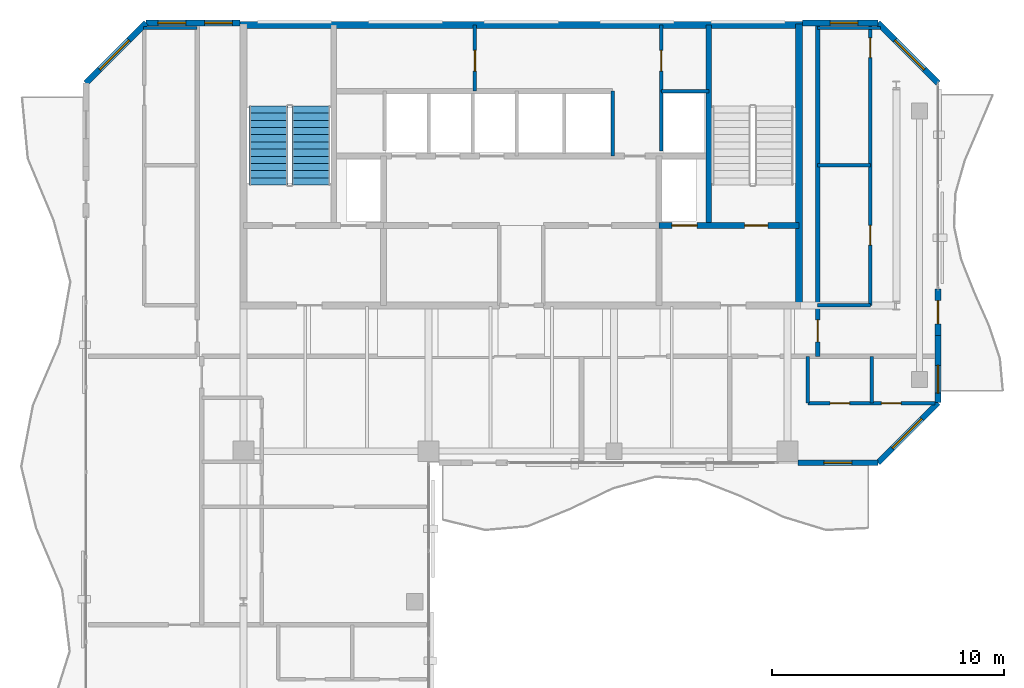
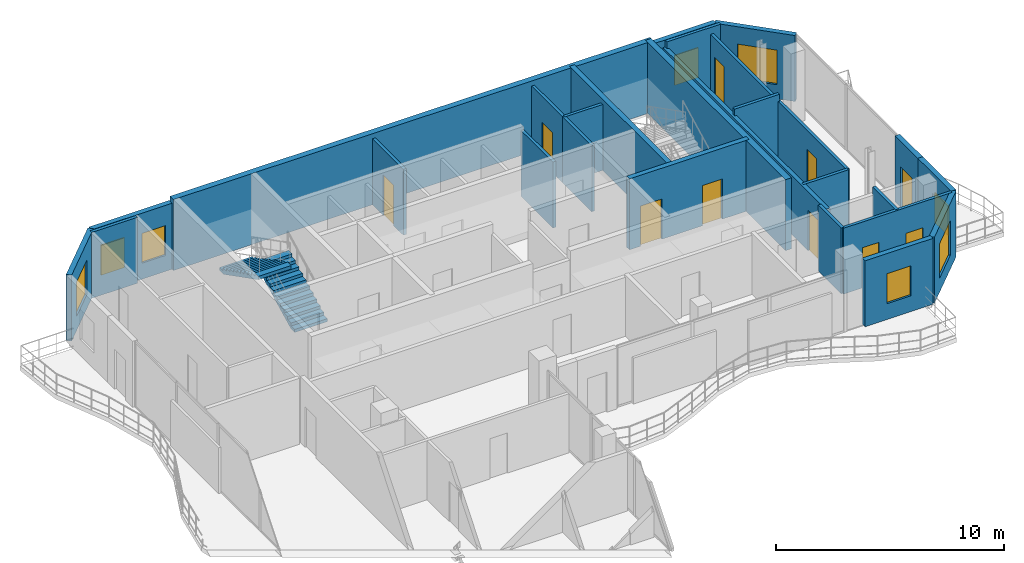
# One storey, part 14 of 17: 26 walls, 10 doors, 8 windows, 2 stair flights, 18 openings, 1 element without a shape of its own.
"""IFC4 building model written with IfcOpenShell, lengths in metres."""

from ifc_helpers import new_model, si_unit, direction, frame, frame_2d, origin, place, context, subcontext, project, spatial, polyline, rectangle, outline, extrude, material, layer, layer_set, type_object, element, fill, aggregate, save


model = new_model("IFC4")

# Units and contexts
model_context = context("Model", 3, precision=1e-05, world=origin(), true_north=direction((0.0, 1.0)))
body_context = subcontext(model_context, "Body", "Model", "MODEL_VIEW")
ifc_project = project(units=[si_unit("LENGTHUNIT", "METRE"), si_unit("AREAUNIT", "SQUARE_METRE"), si_unit("VOLUMEUNIT", "CUBIC_METRE"), si_unit("PLANEANGLEUNIT", "RADIAN"), si_unit("MASSUNIT", "GRAM", prefix="KILO")], contexts=[model_context])

# Site, building, storey
site_placement = place(None, origin())
site = spatial("IfcSite", under=ifc_project, at=site_placement, CompositionType="ELEMENT")
building_placement = place(site_placement, origin())
building = spatial("IfcBuilding", under=site, at=building_placement, Name="Catumbela Crestline Tower", CompositionType="ELEMENT")
storey_placement = place(building_placement, frame((0.0, 0.0, 279.2)))
storey = spatial("IfcBuildingStorey", under=building, at=storey_placement, Name="L72", CompositionType="ELEMENT", Elevation=279.2)

# Wall
ifc_material_1 = material(Name="Concrete C50/60", Category="concrete")
ifc_layer_1 = layer(ifc_material_1, 0.25, Name="Concrete C50/60")
ifc_layer_set_1 = layer_set([ifc_layer_1], Name="Concrete C50/60")
wall_type_1 = type_object("IfcWallType", Name="CW-250D", PredefinedType="SHEAR", material=ifc_layer_set_1)
wall_1_placement = place(storey_placement, frame((36.1, 34.25, 0.0), z_axis=(0.0, 0.0, 1.0), x_axis=(0.0, 1.0, 0.0)))
element("IfcWall", 1, at=wall_1_placement, inside=storey, type_object=wall_type_1, Name="L72 Structural Core Shear Wall EWEB", PredefinedType="SHEAR", context=body_context, shape_type="SweptSolid", body=[
    extrude(rectangle(XDim=8.65, YDim=0.25, at=frame_2d((4.325, 0.0))), origin(), (0.0, 0.0, 1.0), 3.8),
])

# Wall, openings, doors
wall_2_placement = place(storey_placement, frame((33.95, 34.25, 0.0), z_axis=(0.0, 0.0, 1.0), x_axis=(1.0, 0.0, 0.0)))
wall_2 = element("IfcWall", 2, at=wall_2_placement, inside=storey, type_object=wall_type_1, Name="L72 Structural Core Shear Wall ST2S", PredefinedType="SHEAR", context=body_context, shape_type="SweptSolid", body=[
    extrude(rectangle(XDim=6.05, YDim=0.25, at=frame_2d((3.025, 0.0))), origin(), (0.0, 0.0, 1.0), 3.8),
])
opening_1_placement = place(wall_2_placement, frame((3.7, 0.0, 0.0)))
opening_1 = element("IfcOpeningElement", 3, at=opening_1_placement, cuts=wall_2, Name="Opening DF9-100", PredefinedType="OPENING", context=body_context, shape_type="SweptSolid", body=[
    extrude(rectangle(XDim=1.0, YDim=2.15, at=frame_2d((0.5, 1.075))), frame((0.0, 0.135, 0.0), z_axis=(0.0, -1.0, 0.0), x_axis=(1.0, 0.0, 0.0)), (0.0, 0.0, 1.0), 0.27),
])
opening_2_placement = place(wall_2_placement, frame((0.55, 0.0, 0.0)))
opening_2 = element("IfcOpeningElement", 4, at=opening_2_placement, cuts=wall_2, Name="Opening LD-110", PredefinedType="OPENING", context=body_context, shape_type="SweptSolid", body=[
    extrude(rectangle(XDim=1.1, YDim=2.15, at=frame_2d((0.55, 1.075))), frame((0.0, 0.135, 0.0), z_axis=(0.0, -1.0, 0.0), x_axis=(1.0, 0.0, 0.0)), (0.0, 0.0, 1.0), 0.27),
])
ifc_material_2 = material(Name="Stainless steel EN 1.4401", Category="steel")
door_type_1 = type_object("IfcDoorType", Name="DF9-100", OperationType="NOTDEFINED", PredefinedType="DOOR", material=ifc_material_2)
door_1_placement = place(opening_1_placement, origin())
door_1 = element("IfcDoor", 5, at=door_1_placement, inside=storey, type_object=door_type_1, Name="L72 Interior Door DR-L72-ST02", OperationType="SINGLE_SWING_RIGHT", OverallHeight=2.15, OverallWidth=1.0, PredefinedType="DOOR", context=body_context, shape_type="SweptSolid", body=[
    extrude(rectangle(XDim=1.0, YDim=2.15, at=frame_2d((0.5, 1.075))), frame((0.0, 0.025, 0.0), z_axis=(0.0, -1.0, 0.0), x_axis=(1.0, 0.0, 0.0)), (0.0, 0.0, 1.0), 0.05),
])
fill(opening_1, door_1)
door_type_2 = type_object("IfcDoorType", Name="LD-110", OperationType="NOTDEFINED", PredefinedType="DOOR", material=ifc_material_2)
door_2_placement = place(opening_2_placement, origin())
door_2 = element("IfcDoor", 6, at=door_2_placement, inside=storey, type_object=door_type_2, Name="L72 Lift Landing Sliding Door FL-02", OperationType="DOUBLE_DOOR_SLIDING", OverallHeight=2.15, OverallWidth=1.1, PredefinedType="DOOR", context=body_context, shape_type="SweptSolid", body=[
    extrude(rectangle(XDim=1.1, YDim=2.15, at=frame_2d((0.55, 1.075))), frame((0.0, 0.025, 0.0), z_axis=(0.0, -1.0, 0.0), x_axis=(1.0, 0.0, 0.0)), (0.0, 0.0, 1.0), 0.05),
])
fill(opening_2, door_2)

# Walls
ifc_material_3 = material(Name="Concrete C45/55", Category="concrete")
ifc_layer_2 = layer(ifc_material_3, 0.3, Name="Concrete C45/55")
ifc_layer_set_2 = layer_set([ifc_layer_2], Name="Concrete C45/55")
wall_type_2 = type_object("IfcWallType", Name="CW-300C", PredefinedType="SHEAR", material=ifc_layer_set_2)
wall_3_placement = place(storey_placement, frame((40.0, 30.65, 0.0), z_axis=(0.0, 0.0, 1.0), x_axis=(0.0, 1.0, 0.0)))
element("IfcWall", 7, at=wall_3_placement, inside=storey, type_object=wall_type_2, Name="L72 Structural Core Shear Wall E", PredefinedType="SHEAR", context=body_context, shape_type="SweptSolid", body=[
    extrude(rectangle(XDim=12.3, YDim=0.3, at=frame_2d((6.15, 0.0))), origin(), (0.0, 0.0, 1.0), 3.8),
])
ifc_layer_3 = layer(ifc_material_3, 0.3, Name="Concrete C45/55")
ifc_layer_set_3 = layer_set([ifc_layer_3], Name="Concrete C45/55")
wall_type_3 = type_object("IfcWallType", Name="CW-300E", PredefinedType="SHEAR", material=ifc_layer_set_3)
wall_4_placement = place(storey_placement, frame((15.85, 42.9, 0.0), z_axis=(0.0, 0.0, 1.0), x_axis=(1.0, 0.0, 0.0)))
element("IfcWall", 8, at=wall_4_placement, inside=storey, type_object=wall_type_3, Name="L72 Structural Core Shear Wall N", PredefinedType="SHEAR", context=body_context, shape_type="SweptSolid", body=[
    extrude(rectangle(XDim=24.3, YDim=0.3, at=frame_2d((12.15, 0.0))), origin(), (0.0, 0.0, 1.0), 3.8),
])

# Wall, opening, door
ifc_material_4 = material(Name="Acoustic gypsum and mineral-wool partition")
ifc_layer_4 = layer(ifc_material_4, 0.2, Name="Acoustic gypsum and mineral-wool partition")
ifc_layer_set_4 = layer_set([ifc_layer_4], Name="Acoustic gypsum and mineral-wool partition")
wall_type_4 = type_object("IfcWallType", Name="WC-200", PredefinedType="PARTITIONING", material=ifc_layer_set_4)
wall_5_placement = place(storey_placement, frame((40.8, 28.6, 0.0), z_axis=(0.0, 0.0, 1.0), x_axis=(0.0, 1.0, 0.0)))
wall_5 = element("IfcWall", 9, at=wall_5_placement, inside=storey, type_object=wall_type_4, Name="L72 Interior Partition PW-L72-NE1-ENT", PredefinedType="PARTITIONING", context=body_context, shape_type="SweptSolid", body=[
    extrude(rectangle(XDim=14.3, YDim=0.2, at=frame_2d((7.15, 0.0))), origin(), (0.0, 0.0, 1.0), 3.16),
])
opening_3_placement = place(wall_5_placement, frame((0.625, 0.0, 0.0)))
opening_3 = element("IfcOpeningElement", 10, at=opening_3_placement, cuts=wall_5, Name="Opening DF6-095", PredefinedType="OPENING", context=body_context, shape_type="SweptSolid", body=[
    extrude(rectangle(XDim=0.95, YDim=2.15, at=frame_2d((0.475, 1.075))), frame((0.0, 0.11, 0.0), z_axis=(0.0, -1.0, 0.0), x_axis=(1.0, 0.0, 0.0)), (0.0, 0.0, 1.0), 0.22),
])
ifc_material_5 = material(Name="Aluminium alloy AW-6060-T66", Category="aluminium")
door_type_3 = type_object("IfcDoorType", Name="DF6-095", OperationType="NOTDEFINED", PredefinedType="DOOR", material=ifc_material_5)
door_3_placement = place(opening_3_placement, origin())
door_3 = element("IfcDoor", 11, at=door_3_placement, inside=storey, type_object=door_type_3, Name="L72 Interior Door DR-L72-NE1-ENT", OperationType="SINGLE_SWING_LEFT", OverallHeight=2.15, OverallWidth=0.95, PredefinedType="DOOR", context=body_context, shape_type="SweptSolid", body=[
    extrude(rectangle(XDim=0.95, YDim=2.15, at=frame_2d((0.475, 1.075))), frame((0.0, 0.025, 0.0), z_axis=(0.0, -1.0, 0.0), x_axis=(1.0, 0.0, 0.0)), (0.0, 0.0, 1.0), 0.05),
])
fill(opening_3, door_3)

# Wall, opening, window
ifc_material_6 = material(Name="Angolan grey-ochre granite", Category="masonry")
ifc_layer_5 = layer(ifc_material_6, 0.25, Name="Angolan grey-ochre granite")
ifc_layer_set_5 = layer_set([ifc_layer_5], Name="Angolan grey-ochre granite")
wall_type_5 = type_object("IfcWallType", Name="WE-250", PredefinedType="STANDARD", material=ifc_layer_set_5)
wall_6_placement = place(storey_placement, frame((39.95, 24.0, 0.0), z_axis=(0.0, 0.0, 1.0), x_axis=(1.0, 0.0, 0.0)))
wall_6 = element("IfcWall", 12, at=wall_6_placement, inside=storey, type_object=wall_type_5, Name="L72 Granite Punched Window Wall 3-3", PredefinedType="STANDARD", context=body_context, shape_type="SweptSolid", body=[
    extrude(rectangle(XDim=3.45, YDim=0.25, at=frame_2d((1.725, 0.0))), origin(), (0.0, 0.0, 1.0), 3.53),
])
opening_4_placement = place(wall_6_placement, frame((1.125, 0.0, 0.85)))
opening_4 = element("IfcOpeningElement", 13, at=opening_4_placement, cuts=wall_6, Name="Opening WN-02", PredefinedType="OPENING", context=body_context, shape_type="SweptSolid", body=[
    extrude(rectangle(XDim=1.2, YDim=1.6, at=frame_2d((0.6, 0.8))), frame((0.0, 0.135, 0.0), z_axis=(0.0, -1.0, 0.0), x_axis=(1.0, 0.0, 0.0)), (0.0, 0.0, 1.0), 0.27),
])
ifc_material_7 = material(Name="Low-E laminated solar-control double glazing", Category="glass")
window_type_1 = type_object("IfcWindowType", Name="WO-1200", PartitioningType="SINGLE_PANEL", PredefinedType="WINDOW", material=ifc_material_7)
window_1_placement = place(opening_4_placement, origin())
window_1 = element("IfcWindow", 14, at=window_1_placement, inside=storey, type_object=window_type_1, Name="L72 Facade Vision Window 578", OverallHeight=1.6, OverallWidth=1.2, PartitioningType="SINGLE_PANEL", PredefinedType="WINDOW", context=body_context, shape_type="SweptSolid", body=[
    extrude(rectangle(XDim=1.2, YDim=1.6, at=frame_2d((0.6, 0.8))), frame((0.0, 0.03, 0.0), z_axis=(0.0, -1.0, 0.0), x_axis=(1.0, 0.0, 0.0)), (0.0, 0.0, 1.0), 0.06),
])
fill(opening_4, window_1)

wall_7_placement = place(storey_placement, frame((43.4, 24.0, 0.0), z_axis=(0.0, 0.0, 1.0), x_axis=(0.707106781187, 0.707106781187, 0.0)))
wall_7 = element("IfcWall", 15, at=wall_7_placement, inside=storey, type_object=wall_type_5, Name="L72 Granite Punched Window Wall 4-1", PredefinedType="STANDARD", context=body_context, shape_type="SweptSolid", body=[
    extrude(rectangle(XDim=3.677, YDim=0.25, at=frame_2d((1.8385, 0.0))), origin(), (0.0, 0.0, 1.0), 3.53),
])
opening_5_placement = place(wall_7_placement, frame((0.8962, 0.0, 0.75)))
opening_5 = element("IfcOpeningElement", 16, at=opening_5_placement, cuts=wall_7, Name="Opening WN-01", PredefinedType="OPENING", context=body_context, shape_type="SweptSolid", body=[
    extrude(rectangle(XDim=1.8, YDim=1.85, at=frame_2d((0.9, 0.925))), frame((0.0, 0.135, 0.0), z_axis=(0.0, -1.0, 0.0), x_axis=(1.0, 0.0, 0.0)), (0.0, 0.0, 1.0), 0.27),
])
window_type_2 = type_object("IfcWindowType", Name="WF-1800", PartitioningType="SINGLE_PANEL", PredefinedType="WINDOW", material=ifc_material_7)
window_2_placement = place(opening_5_placement, origin())
window_2 = element("IfcWindow", 17, at=window_2_placement, inside=storey, type_object=window_type_2, Name="L72 Facade Vision Window 579", OverallHeight=1.85, OverallWidth=1.8, PartitioningType="SINGLE_PANEL", PredefinedType="WINDOW", context=body_context, shape_type="SweptSolid", body=[
    extrude(rectangle(XDim=1.8, YDim=1.85, at=frame_2d((0.9, 0.925))), frame((0.0, 0.03, 0.0), z_axis=(0.0, -1.0, 0.0), x_axis=(1.0, 0.0, 0.0)), (0.0, 0.0, 1.0), 0.06),
])
fill(opening_5, window_2)

# Wall, opening, door
wall_8_placement = place(storey_placement, frame((46.0, 29.5, 0.0), z_axis=(0.0, 0.0, 1.0), x_axis=(0.0, 1.0, 0.0)))
wall_8 = element("IfcWall", 18, at=wall_8_placement, inside=storey, type_object=wall_type_5, Name="L72 Exterior Threshold Portal Wall DR-L72-WBAL-2", PredefinedType="STANDARD", context=body_context, shape_type="SweptSolid", body=[
    extrude(rectangle(XDim=2.0, YDim=0.25, at=frame_2d((1.0, 0.0))), origin(), (0.0, 0.0, 1.0), 3.53),
])
opening_6_placement = place(wall_8_placement, frame((0.5, 0.0, 0.0)))
opening_6 = element("IfcOpeningElement", 19, at=opening_6_placement, cuts=wall_8, Name="Opening DB-L72-2", PredefinedType="OPENING", context=body_context, shape_type="SweptSolid", body=[
    extrude(rectangle(XDim=1.0, YDim=2.15, at=frame_2d((0.5, 1.075))), frame((0.0, 0.135, 0.0), z_axis=(0.0, -1.0, 0.0), x_axis=(1.0, 0.0, 0.0)), (0.0, 0.0, 1.0), 0.27),
])
door_type_4 = type_object("IfcDoorType", Name="DB-1000", OperationType="NOTDEFINED", PredefinedType="DOOR", material=ifc_material_5)
door_4_placement = place(opening_6_placement, origin())
door_4 = element("IfcDoor", 20, at=door_4_placement, inside=storey, type_object=door_type_4, Name="L72 Wave Balcony Terrace Door 2", OperationType="SINGLE_SWING_LEFT", OverallHeight=2.15, OverallWidth=1.0, PredefinedType="DOOR", context=body_context, shape_type="SweptSolid", body=[
    extrude(rectangle(XDim=1.0, YDim=2.15, at=frame_2d((0.5, 1.075))), frame((0.0, 0.025, 0.0), z_axis=(0.0, -1.0, 0.0), x_axis=(1.0, 0.0, 0.0)), (0.0, 0.0, 1.0), 0.05),
])
fill(opening_6, door_4)

# Wall, opening, window
wall_9_placement = place(storey_placement, frame((46.0, 26.6, 0.0), z_axis=(0.0, 0.0, 1.0), x_axis=(0.0, 1.0, 0.0)))
wall_9 = element("IfcWall", 21, at=wall_9_placement, inside=storey, type_object=wall_type_5, Name="L72 Granite Punched Window Wall 5-1", PredefinedType="STANDARD", context=body_context, shape_type="SweptSolid", body=[
    extrude(rectangle(XDim=2.9, YDim=0.25, at=frame_2d((1.45, 0.0))), origin(), (0.0, 0.0, 1.0), 3.53),
])
opening_7_placement = place(wall_9_placement, frame((0.41, 0.0, 0.85)))
opening_7 = element("IfcOpeningElement", 22, at=opening_7_placement, cuts=wall_9, Name="Opening WN-02", PredefinedType="OPENING", context=body_context, shape_type="SweptSolid", body=[
    extrude(rectangle(XDim=1.2, YDim=1.6, at=frame_2d((0.6, 0.8))), frame((0.0, 0.135, 0.0), z_axis=(0.0, -1.0, 0.0), x_axis=(1.0, 0.0, 0.0)), (0.0, 0.0, 1.0), 0.27),
])
window_3_placement = place(opening_7_placement, origin())
window_3 = element("IfcWindow", 23, at=window_3_placement, inside=storey, type_object=window_type_1, Name="L72 Facade Vision Window 580", OverallHeight=1.6, OverallWidth=1.2, PartitioningType="SINGLE_PANEL", PredefinedType="WINDOW", context=body_context, shape_type="SweptSolid", body=[
    extrude(rectangle(XDim=1.2, YDim=1.6, at=frame_2d((0.6, 0.8))), frame((0.0, 0.03, 0.0), z_axis=(0.0, -1.0, 0.0), x_axis=(1.0, 0.0, 0.0)), (0.0, 0.0, 1.0), 0.06),
])
fill(opening_7, window_3)

wall_10_placement = place(storey_placement, frame((46.0, 40.4, 0.0), z_axis=(0.0, 0.0, 1.0), x_axis=(-0.707106781187, 0.707106781187, 0.0)))
wall_10 = element("IfcWall", 24, at=wall_10_placement, inside=storey, type_object=wall_type_5, Name="L72 Granite Punched Window Wall 6-1", PredefinedType="STANDARD", context=body_context, shape_type="SweptSolid", body=[
    extrude(rectangle(XDim=3.677, YDim=0.25, at=frame_2d((1.8385, 0.0))), origin(), (0.0, 0.0, 1.0), 3.53),
])
opening_8_placement = place(wall_10_placement, frame((0.8283, 0.0, 0.75)))
opening_8 = element("IfcOpeningElement", 25, at=opening_8_placement, cuts=wall_10, Name="Opening WN-01", PredefinedType="OPENING", context=body_context, shape_type="SweptSolid", body=[
    extrude(rectangle(XDim=1.8, YDim=1.85, at=frame_2d((0.9, 0.925))), frame((0.0, 0.135, 0.0), z_axis=(0.0, -1.0, 0.0), x_axis=(1.0, 0.0, 0.0)), (0.0, 0.0, 1.0), 0.27),
])
window_4_placement = place(opening_8_placement, origin())
window_4 = element("IfcWindow", 26, at=window_4_placement, inside=storey, type_object=window_type_2, Name="L72 Facade Vision Window 581", OverallHeight=1.85, OverallWidth=1.8, PartitioningType="SINGLE_PANEL", PredefinedType="WINDOW", context=body_context, shape_type="SweptSolid", body=[
    extrude(rectangle(XDim=1.8, YDim=1.85, at=frame_2d((0.9, 0.925))), frame((0.0, 0.03, 0.0), z_axis=(0.0, -1.0, 0.0), x_axis=(1.0, 0.0, 0.0)), (0.0, 0.0, 1.0), 0.06),
])
fill(opening_8, window_4)

wall_11_placement = place(storey_placement, frame((43.4, 43.0, 0.0), z_axis=(0.0, 0.0, 1.0), x_axis=(-1.0, 0.0, 0.0)))
wall_11 = element("IfcWall", 27, at=wall_11_placement, inside=storey, type_object=wall_type_5, Name="L72 Granite Punched Window Wall 7-1", PredefinedType="STANDARD", context=body_context, shape_type="SweptSolid", body=[
    extrude(rectangle(XDim=3.26, YDim=0.25, at=frame_2d((1.63, 0.0))), origin(), (0.0, 0.0, 1.0), 3.53),
])
opening_9_placement = place(wall_11_placement, frame((0.86, 0.0, 0.85)))
opening_9 = element("IfcOpeningElement", 28, at=opening_9_placement, cuts=wall_11, Name="Opening WN-02", PredefinedType="OPENING", context=body_context, shape_type="SweptSolid", body=[
    extrude(rectangle(XDim=1.2, YDim=1.6, at=frame_2d((0.6, 0.8))), frame((0.0, 0.135, 0.0), z_axis=(0.0, -1.0, 0.0), x_axis=(1.0, 0.0, 0.0)), (0.0, 0.0, 1.0), 0.27),
])
window_5_placement = place(opening_9_placement, origin())
window_5 = element("IfcWindow", 29, at=window_5_placement, inside=storey, type_object=window_type_1, Name="L72 Facade Vision Window 582", OverallHeight=1.6, OverallWidth=1.2, PartitioningType="SINGLE_PANEL", PredefinedType="WINDOW", context=body_context, shape_type="SweptSolid", body=[
    extrude(rectangle(XDim=1.2, YDim=1.6, at=frame_2d((0.6, 0.8))), frame((0.0, 0.03, 0.0), z_axis=(0.0, -1.0, 0.0), x_axis=(1.0, 0.0, 0.0)), (0.0, 0.0, 1.0), 0.06),
])
fill(opening_9, window_5)

# Wall, openings, windows
wall_12_placement = place(storey_placement, frame((15.86, 43.0, 0.0), z_axis=(0.0, 0.0, 1.0), x_axis=(-1.0, 0.0, 0.0)))
wall_12 = element("IfcWall", 30, at=wall_12_placement, inside=storey, type_object=wall_type_5, Name="L72 Granite Punched Window Wall 7-2", PredefinedType="STANDARD", context=body_context, shape_type="SweptSolid", body=[
    extrude(rectangle(XDim=4.06, YDim=0.25, at=frame_2d((2.03, 0.0))), origin(), (0.0, 0.0, 1.0), 3.53),
])
opening_10_placement = place(wall_12_placement, frame((0.34, 0.0, 0.85)))
opening_10 = element("IfcOpeningElement", 31, at=opening_10_placement, cuts=wall_12, Name="Opening WN-02", PredefinedType="OPENING", context=body_context, shape_type="SweptSolid", body=[
    extrude(rectangle(XDim=1.2, YDim=1.6, at=frame_2d((0.6, 0.8))), frame((0.0, 0.135, 0.0), z_axis=(0.0, -1.0, 0.0), x_axis=(1.0, 0.0, 0.0)), (0.0, 0.0, 1.0), 0.27),
])
opening_11_placement = place(wall_12_placement, frame((2.35, 0.0, 0.85)))
opening_11 = element("IfcOpeningElement", 32, at=opening_11_placement, cuts=wall_12, Name="Opening WN-02", PredefinedType="OPENING", context=body_context, shape_type="SweptSolid", body=[
    extrude(rectangle(XDim=1.2, YDim=1.6, at=frame_2d((0.6, 0.8))), frame((0.0, 0.135, 0.0), z_axis=(0.0, -1.0, 0.0), x_axis=(1.0, 0.0, 0.0)), (0.0, 0.0, 1.0), 0.27),
])
window_6_placement = place(opening_10_placement, origin())
window_6 = element("IfcWindow", 33, at=window_6_placement, inside=storey, type_object=window_type_1, Name="L72 Facade Vision Window 583", OverallHeight=1.6, OverallWidth=1.2, PartitioningType="SINGLE_PANEL", PredefinedType="WINDOW", context=body_context, shape_type="SweptSolid", body=[
    extrude(rectangle(XDim=1.2, YDim=1.6, at=frame_2d((0.6, 0.8))), frame((0.0, 0.03, 0.0), z_axis=(0.0, -1.0, 0.0), x_axis=(1.0, 0.0, 0.0)), (0.0, 0.0, 1.0), 0.06),
])
fill(opening_10, window_6)
window_7_placement = place(opening_11_placement, origin())
window_7 = element("IfcWindow", 34, at=window_7_placement, inside=storey, type_object=window_type_1, Name="L72 Facade Vision Window 584", OverallHeight=1.6, OverallWidth=1.2, PartitioningType="SINGLE_PANEL", PredefinedType="WINDOW", context=body_context, shape_type="SweptSolid", body=[
    extrude(rectangle(XDim=1.2, YDim=1.6, at=frame_2d((0.6, 0.8))), frame((0.0, 0.03, 0.0), z_axis=(0.0, -1.0, 0.0), x_axis=(1.0, 0.0, 0.0)), (0.0, 0.0, 1.0), 0.06),
])
fill(opening_11, window_7)

# Wall, opening, window
wall_13_placement = place(storey_placement, frame((11.8, 43.0, 0.0), z_axis=(0.0, 0.0, 1.0), x_axis=(-0.707106781187, -0.707106781187, 0.0)))
wall_13 = element("IfcWall", 35, at=wall_13_placement, inside=storey, type_object=wall_type_5, Name="L72 Granite Punched Window Wall 8-1", PredefinedType="STANDARD", context=body_context, shape_type="SweptSolid", body=[
    extrude(rectangle(XDim=3.677, YDim=0.25, at=frame_2d((1.8385, 0.0))), origin(), (0.0, 0.0, 1.0), 3.53),
])
opening_12_placement = place(wall_13_placement, frame((1.0487, 0.0, 0.75)))
opening_12 = element("IfcOpeningElement", 36, at=opening_12_placement, cuts=wall_13, Name="Opening WN-01", PredefinedType="OPENING", context=body_context, shape_type="SweptSolid", body=[
    extrude(rectangle(XDim=1.8, YDim=1.85, at=frame_2d((0.9, 0.925))), frame((0.0, 0.135, 0.0), z_axis=(0.0, -1.0, 0.0), x_axis=(1.0, 0.0, 0.0)), (0.0, 0.0, 1.0), 0.27),
])
window_8_placement = place(opening_12_placement, origin())
window_8 = element("IfcWindow", 37, at=window_8_placement, inside=storey, type_object=window_type_2, Name="L72 Facade Vision Window 585", OverallHeight=1.85, OverallWidth=1.8, PartitioningType="SINGLE_PANEL", PredefinedType="WINDOW", context=body_context, shape_type="SweptSolid", body=[
    extrude(rectangle(XDim=1.8, YDim=1.85, at=frame_2d((0.9, 0.925))), frame((0.0, 0.03, 0.0), z_axis=(0.0, -1.0, 0.0), x_axis=(1.0, 0.0, 0.0)), (0.0, 0.0, 1.0), 0.06),
])
fill(opening_12, window_8)

# Wall
ifc_layer_6 = layer(ifc_material_4, 0.15, Name="Acoustic gypsum and mineral-wool partition")
ifc_layer_set_6 = layer_set([ifc_layer_6], Name="Acoustic gypsum and mineral-wool partition")
wall_type_6 = type_object("IfcWallType", Name="WP-150", PredefinedType="PARTITIONING", material=ifc_layer_set_6)
wall_14_placement = place(storey_placement, frame((34.05, 40.05, 0.0), z_axis=(0.0, 0.0, 1.0), x_axis=(1.0, 0.0, 0.0)))
element("IfcWall", 38, at=wall_14_placement, inside=storey, type_object=wall_type_6, Name="L72 Interior Partition PW-L72-CR-ES", PredefinedType="PARTITIONING", context=body_context, shape_type="SweptSolid", body=[
    extrude(rectangle(XDim=2.05, YDim=0.15, at=frame_2d((1.025, 0.0))), origin(), (0.0, 0.0, 1.0), 3.53),
])

# Wall, opening, door
wall_15_placement = place(storey_placement, frame((34.05, 40.05, 0.0), z_axis=(0.0, 0.0, 1.0), x_axis=(0.0, 1.0, 0.0)))
wall_15 = element("IfcWall", 39, at=wall_15_placement, inside=storey, type_object=wall_type_6, Name="L72 Interior Partition PW-L72-CR-EW", PredefinedType="PARTITIONING", context=body_context, shape_type="SweptSolid", body=[
    extrude(rectangle(XDim=2.85, YDim=0.15, at=frame_2d((1.425, 0.0))), origin(), (0.0, 0.0, 1.0), 3.53),
])
opening_13_placement = place(wall_15_placement, frame((0.865, 0.0, 0.0)))
opening_13 = element("IfcOpeningElement", 40, at=opening_13_placement, cuts=wall_15, Name="Opening DF9-090", PredefinedType="OPENING", context=body_context, shape_type="SweptSolid", body=[
    extrude(rectangle(XDim=0.9, YDim=2.15, at=frame_2d((0.45, 1.075))), frame((0.0, 0.085, 0.0), z_axis=(0.0, -1.0, 0.0), x_axis=(1.0, 0.0, 0.0)), (0.0, 0.0, 1.0), 0.17),
])
door_type_5 = type_object("IfcDoorType", Name="DF9-090", OperationType="NOTDEFINED", PredefinedType="DOOR", material=ifc_material_2)
door_5_placement = place(opening_13_placement, origin())
door_5 = element("IfcDoor", 41, at=door_5_placement, inside=storey, type_object=door_type_5, Name="L72 Interior Door DR-L72-CREAST", OperationType="SINGLE_SWING_RIGHT", OverallHeight=2.15, OverallWidth=0.9, PredefinedType="DOOR", context=body_context, shape_type="SweptSolid", body=[
    extrude(rectangle(XDim=0.9, YDim=2.15, at=frame_2d((0.45, 1.075))), frame((0.0, 0.025, 0.0), z_axis=(0.0, -1.0, 0.0), x_axis=(1.0, 0.0, 0.0)), (0.0, 0.0, 1.0), 0.05),
])
fill(opening_13, door_5)

wall_16_placement = place(storey_placement, frame((26.0, 40.05, 0.0), z_axis=(0.0, 0.0, 1.0), x_axis=(0.0, 1.0, 0.0)))
wall_16 = element("IfcWall", 42, at=wall_16_placement, inside=storey, type_object=wall_type_6, Name="L72 Interior Partition PW-L72-CR-WW", PredefinedType="PARTITIONING", context=body_context, shape_type="SweptSolid", body=[
    extrude(rectangle(XDim=2.85, YDim=0.15, at=frame_2d((1.425, 0.0))), origin(), (0.0, 0.0, 1.0), 3.53),
])
opening_14_placement = place(wall_16_placement, frame((0.865, 0.0, 0.0)))
opening_14 = element("IfcOpeningElement", 43, at=opening_14_placement, cuts=wall_16, Name="Opening DF9-090", PredefinedType="OPENING", context=body_context, shape_type="SweptSolid", body=[
    extrude(rectangle(XDim=0.9, YDim=2.15, at=frame_2d((0.45, 1.075))), frame((0.0, 0.085, 0.0), z_axis=(0.0, -1.0, 0.0), x_axis=(1.0, 0.0, 0.0)), (0.0, 0.0, 1.0), 0.17),
])
door_6_placement = place(opening_14_placement, origin())
door_6 = element("IfcDoor", 44, at=door_6_placement, inside=storey, type_object=door_type_5, Name="L72 Interior Door DR-L72-CRWEST", OperationType="SINGLE_SWING_LEFT", OverallHeight=2.15, OverallWidth=0.9, PredefinedType="DOOR", context=body_context, shape_type="SweptSolid", body=[
    extrude(rectangle(XDim=0.9, YDim=2.15, at=frame_2d((0.45, 1.075))), frame((0.0, 0.025, 0.0), z_axis=(0.0, -1.0, 0.0), x_axis=(1.0, 0.0, 0.0)), (0.0, 0.0, 1.0), 0.05),
])
fill(opening_14, door_6)

# Walls
wall_17_placement = place(storey_placement, frame((11.68, 42.78, 0.0), z_axis=(0.0, 0.0, 1.0), x_axis=(1.0, 0.0, 0.0)))
element("IfcWall", 45, at=wall_17_placement, inside=storey, type_object=wall_type_6, Name="L72 Interior Partition PW-L72-NW1-BTH-BCL-3", PredefinedType="PARTITIONING", context=body_context, shape_type="SweptSolid", body=[
    extrude(rectangle(XDim=2.32, YDim=0.15, at=frame_2d((1.16, 0.0))), origin(), (0.0, 0.0, 1.0), 3.53),
])
wall_18_placement = place(storey_placement, frame((40.8, 30.8, 0.0), z_axis=(0.0, 0.0, 1.0), x_axis=(1.0, 0.0, 0.0)))
element("IfcWall", 46, at=wall_18_placement, inside=storey, type_object=wall_type_6, Name="L72 Interior Partition PW-L72-NE1-KBS", PredefinedType="PARTITIONING", context=body_context, shape_type="SweptSolid", body=[
    extrude(rectangle(XDim=2.28, YDim=0.15, at=frame_2d((1.14, 0.0))), origin(), (0.0, 0.0, 1.0), 3.16),
])
wall_19_placement = place(storey_placement, frame((40.8, 36.85, 0.0), z_axis=(0.0, 0.0, 1.0), x_axis=(1.0, 0.0, 0.0)))
element("IfcWall", 47, at=wall_19_placement, inside=storey, type_object=wall_type_6, Name="L72 Interior Partition PW-L72-NE1-KBM", PredefinedType="PARTITIONING", context=body_context, shape_type="SweptSolid", body=[
    extrude(rectangle(XDim=2.28, YDim=0.15, at=frame_2d((1.14, 0.0))), origin(), (0.0, 0.0, 1.0), 3.53),
])

# Wall, openings, doors
wall_20_placement = place(storey_placement, frame((43.08, 30.8, 0.0), z_axis=(0.0, 0.0, 1.0), x_axis=(0.0, 1.0, 0.0)))
wall_20 = element("IfcWall", 48, at=wall_20_placement, inside=storey, type_object=wall_type_6, Name="L72 Interior Partition PW-L72-NE1-SK1", PredefinedType="PARTITIONING", context=body_context, shape_type="SweptSolid", body=[
    extrude(rectangle(XDim=12.1, YDim=0.15, at=frame_2d((6.05, 0.0))), origin(), (0.0, 0.0, 1.0), 3.16),
])
opening_15_placement = place(wall_20_placement, frame((2.6, 0.0, 0.0)))
opening_15 = element("IfcOpeningElement", 49, at=opening_15_placement, cuts=wall_20, Name="Opening DI-085", PredefinedType="OPENING", context=body_context, shape_type="SweptSolid", body=[
    extrude(rectangle(XDim=0.85, YDim=2.15, at=frame_2d((0.425, 1.075))), frame((0.0, 0.085, 0.0), z_axis=(0.0, -1.0, 0.0), x_axis=(1.0, 0.0, 0.0)), (0.0, 0.0, 1.0), 0.17),
])
opening_16_placement = place(wall_20_placement, frame((10.7036, 0.0, 0.0)))
opening_16 = element("IfcOpeningElement", 50, at=opening_16_placement, cuts=wall_20, Name="Opening DI-085", PredefinedType="OPENING", context=body_context, shape_type="SweptSolid", body=[
    extrude(rectangle(XDim=0.85, YDim=2.15, at=frame_2d((0.425, 1.075))), frame((0.0, 0.085, 0.0), z_axis=(0.0, -1.0, 0.0), x_axis=(1.0, 0.0, 0.0)), (0.0, 0.0, 1.0), 0.17),
])
door_type_6 = type_object("IfcDoorType", Name="DI-085", OperationType="NOTDEFINED", PredefinedType="DOOR", material=ifc_material_5)
door_7_placement = place(opening_15_placement, origin())
door_7 = element("IfcDoor", 51, at=door_7_placement, inside=storey, type_object=door_type_6, Name="L72 Interior Door DR-L72-NE1-KIT", OperationType="SINGLE_SWING_LEFT", OverallHeight=2.15, OverallWidth=0.85, PredefinedType="DOOR", context=body_context, shape_type="SweptSolid", body=[
    extrude(rectangle(XDim=0.85, YDim=2.15, at=frame_2d((0.425, 1.075))), frame((0.0, 0.025, 0.0), z_axis=(0.0, -1.0, 0.0), x_axis=(1.0, 0.0, 0.0)), (0.0, 0.0, 1.0), 0.05),
])
fill(opening_15, door_7)
door_8_placement = place(opening_16_placement, origin())
door_8 = element("IfcDoor", 52, at=door_8_placement, inside=storey, type_object=door_type_6, Name="L72 Interior Door DR-L72-NE1-BTH", OperationType="SINGLE_SWING_RIGHT", OverallHeight=2.15, OverallWidth=0.85, PredefinedType="DOOR", context=body_context, shape_type="SweptSolid", body=[
    extrude(rectangle(XDim=0.85, YDim=2.15, at=frame_2d((0.425, 1.075))), frame((0.0, 0.025, 0.0), z_axis=(0.0, -1.0, 0.0), x_axis=(1.0, 0.0, 0.0)), (0.0, 0.0, 1.0), 0.05),
])
fill(opening_16, door_8)

# Walls
wall_21_placement = place(storey_placement, frame((40.8, 42.78, 0.0), z_axis=(0.0, 0.0, 1.0), x_axis=(1.0, 0.0, 0.0)))
element("IfcWall", 53, at=wall_21_placement, inside=storey, type_object=wall_type_6, Name="L72 Interior Partition PW-L72-NE1-BTH-BCL-2", PredefinedType="PARTITIONING", context=body_context, shape_type="SweptSolid", body=[
    extrude(rectangle(XDim=2.72, YDim=0.15, at=frame_2d((1.36, 0.0))), origin(), (0.0, 0.0, 1.0), 3.53),
])
for number, where, z_axis, x_axis, name in (
    (54, (40.382, 26.576, 0.0), (0.0, 0.0, 1.0), (0.0, 1.0, 0.0), "L72 Interior Partition PW-L72-S3-KBW"),
    (55, (43.141, 26.576, 0.0), (0.0, 0.0, 1.0), (0.0, 1.0, 0.0), "L72 Interior Partition PW-L72-S3-KBM"),
):
    element("IfcWall", number, at=place(storey_placement, frame(where, z_axis=z_axis, x_axis=x_axis)), inside=storey, type_object=wall_type_6, Name=name, PredefinedType="PARTITIONING", context=body_context, shape_type="SweptSolid", body=[
        extrude(rectangle(XDim=2.024, YDim=0.15, at=frame_2d((1.012, 0.0))), origin(), (0.0, 0.0, 1.0), 3.53),
    ])

# Wall, openings, doors
wall_22_placement = place(storey_placement, frame((40.382, 26.576, 0.0), z_axis=(0.0, 0.0, 1.0), x_axis=(1.0, 0.0, 0.0)))
wall_22 = element("IfcWall", 56, at=wall_22_placement, inside=storey, type_object=wall_type_6, Name="L72 Interior Partition PW-L72-S3-KBD1", PredefinedType="PARTITIONING", context=body_context, shape_type="SweptSolid", body=[
    extrude(rectangle(XDim=5.494, YDim=0.15, at=frame_2d((2.747, 0.0))), origin(), (0.0, 0.0, 1.0), 3.53),
])
opening_17_placement = place(wall_22_placement, frame((0.9545, 0.0, 0.0)))
opening_17 = element("IfcOpeningElement", 57, at=opening_17_placement, cuts=wall_22, Name="Opening DI-085", PredefinedType="OPENING", context=body_context, shape_type="SweptSolid", body=[
    extrude(rectangle(XDim=0.85, YDim=2.15, at=frame_2d((0.425, 1.075))), frame((0.0, 0.085, 0.0), z_axis=(0.0, -1.0, 0.0), x_axis=(1.0, 0.0, 0.0)), (0.0, 0.0, 1.0), 0.17),
])
opening_18_placement = place(wall_22_placement, frame((3.1735, 0.0, 0.0)))
opening_18 = element("IfcOpeningElement", 58, at=opening_18_placement, cuts=wall_22, Name="Opening DI-085", PredefinedType="OPENING", context=body_context, shape_type="SweptSolid", body=[
    extrude(rectangle(XDim=0.85, YDim=2.15, at=frame_2d((0.425, 1.075))), frame((0.0, 0.085, 0.0), z_axis=(0.0, -1.0, 0.0), x_axis=(1.0, 0.0, 0.0)), (0.0, 0.0, 1.0), 0.17),
])
door_9_placement = place(opening_17_placement, origin())
door_9 = element("IfcDoor", 59, at=door_9_placement, inside=storey, type_object=door_type_6, Name="L72 Interior Door DR-L72-S3-BTH", OperationType="SINGLE_SWING_LEFT", OverallHeight=2.15, OverallWidth=0.85, PredefinedType="DOOR", context=body_context, shape_type="SweptSolid", body=[
    extrude(rectangle(XDim=0.85, YDim=2.15, at=frame_2d((0.425, 1.075))), frame((0.0, 0.025, 0.0), z_axis=(0.0, -1.0, 0.0), x_axis=(1.0, 0.0, 0.0)), (0.0, 0.0, 1.0), 0.05),
])
fill(opening_17, door_9)
door_10_placement = place(opening_18_placement, origin())
door_10 = element("IfcDoor", 60, at=door_10_placement, inside=storey, type_object=door_type_6, Name="L72 Interior Door DR-L72-S3-KIT", OperationType="SINGLE_SWING_LEFT", OverallHeight=2.15, OverallWidth=0.85, PredefinedType="DOOR", context=body_context, shape_type="SweptSolid", body=[
    extrude(rectangle(XDim=0.85, YDim=2.15, at=frame_2d((0.425, 1.075))), frame((0.0, 0.025, 0.0), z_axis=(0.0, -1.0, 0.0), x_axis=(1.0, 0.0, 0.0)), (0.0, 0.0, 1.0), 0.05),
])
fill(opening_18, door_10)

# Walls
ifc_layer_7 = layer(ifc_material_4, 0.15, Name="Acoustic gypsum and mineral-wool partition")
ifc_layer_set_7 = layer_set([ifc_layer_7], Name="Acoustic gypsum and mineral-wool partition")
wall_type_7 = type_object("IfcWallType", Name="WS-150", PredefinedType="PLUMBINGWALL", material=ifc_layer_set_7)
wall_23_placement = place(storey_placement, frame((31.95, 37.25, 0.0), z_axis=(0.0, 0.0, 1.0), x_axis=(0.0, 1.0, 0.0)))
element("IfcWall", 61, at=wall_23_placement, inside=storey, type_object=wall_type_7, Name="L72 Interior Partition PW-L72-SHEX2E", PredefinedType="PLUMBINGWALL", context=body_context, shape_type="SweptSolid", body=[
    extrude(rectangle(XDim=2.8, YDim=0.15, at=frame_2d((1.4, 0.0))), origin(), (0.0, 0.0, 1.0), 3.53),
])
wall_24_placement = place(storey_placement, frame((34.05, 37.4734, 0.0), z_axis=(0.0, 0.0, 1.0), x_axis=(0.0, 1.0, 0.0)))
element("IfcWall", 62, at=wall_24_placement, inside=storey, type_object=wall_type_7, Name="L72 Interior Partition PW-L72-RISW", PredefinedType="PLUMBINGWALL", context=body_context, shape_type="SweptSolid", body=[
    extrude(rectangle(XDim=2.5766, YDim=0.15, at=frame_2d((1.2883, 0.0))), origin(), (0.0, 0.0, 1.0), 3.53),
])

# Stair, stair flights
stair_type = type_object("IfcStairType", Name="ST-DLG", PredefinedType="HALF_TURN_STAIR", material=ifc_material_3)
stair_placement = place(storey_placement, origin())
stair = element("IfcStair", 63, at=stair_placement, inside=storey, type_object=stair_type, Name="L72 West Core Pressurised Exit Stair ST-01", PredefinedType="HALF_TURN_STAIR")
stair_flight_type = type_object("IfcStairFlightType", Name="SF-1583", PredefinedType="STRAIGHT", material=ifc_material_3)
stair_flight_1_placement = place(storey_placement, frame((18.92, 36.0, 0.0), z_axis=(0.0, 0.0, 1.0), x_axis=(0.0, 1.0, 0.0)))
stair_flight_1 = element("IfcStairFlight", 64, at=stair_flight_1_placement, type_object=stair_flight_type, Name="ST-01 flight 1", NumberOfRisers=12, NumberOfTreads=11, PredefinedType="STRAIGHT", RiserHeight=0.158333333, TreadLength=0.31, context=body_context, shape_type="SweptSolid", body=[
    extrude(outline(polyline([(0.0, 0.0), (0.0, 0.1583), (0.31, 0.1583), (0.31, 0.3167), (0.62, 0.3167), (0.62, 0.475), (0.93, 0.475), (0.93, 0.6333), (1.24, 0.6333), (1.24, 0.7917), (1.55, 0.7917), (1.55, 0.95), (1.86, 0.95), (1.86, 1.1083), (2.17, 1.1083), (2.17, 1.2667), (2.48, 1.2667), (2.48, 1.425), (2.79, 1.425), (2.79, 1.5833), (3.1, 1.5833), (3.1, 1.7417), (3.41, 1.7417), (3.41, 1.9), (3.41, 1.562), (0.3518, 0.0), (0.0, 0.0)])), frame((0.0, 0.83, 0.0), z_axis=(0.0, -1.0, 0.0), x_axis=(1.0, 0.0, 0.0)), (0.0, 0.0, 1.0), 1.66),
])
stair_flight_2_placement = place(storey_placement, frame((17.08, 39.41, 1.9), z_axis=(0.0, 0.0, 1.0), x_axis=(0.0, -1.0, 0.0)))
stair_flight_2 = element("IfcStairFlight", 65, at=stair_flight_2_placement, type_object=stair_flight_type, Name="ST-01 flight 2", NumberOfRisers=12, NumberOfTreads=11, PredefinedType="STRAIGHT", RiserHeight=0.158333333, TreadLength=0.31, context=body_context, shape_type="SweptSolid", body=[
    extrude(outline(polyline([(0.0, 0.0), (0.0, 0.1583), (0.31, 0.1583), (0.31, 0.3167), (0.62, 0.3167), (0.62, 0.475), (0.93, 0.475), (0.93, 0.6333), (1.24, 0.6333), (1.24, 0.7917), (1.55, 0.7917), (1.55, 0.95), (1.86, 0.95), (1.86, 1.1083), (2.17, 1.1083), (2.17, 1.2667), (2.48, 1.2667), (2.48, 1.425), (2.79, 1.425), (2.79, 1.5833), (3.1, 1.5833), (3.1, 1.7417), (3.41, 1.7417), (3.41, 1.9), (3.41, 1.562), (0.3518, 0.0), (0.0, 0.0)])), frame((0.0, 0.83, 0.0), z_axis=(0.0, -1.0, 0.0), x_axis=(1.0, 0.0, 0.0)), (0.0, 0.0, 1.0), 1.66),
])
aggregate(stair, [stair_flight_1, stair_flight_2])

save(model, "model.ifc")
